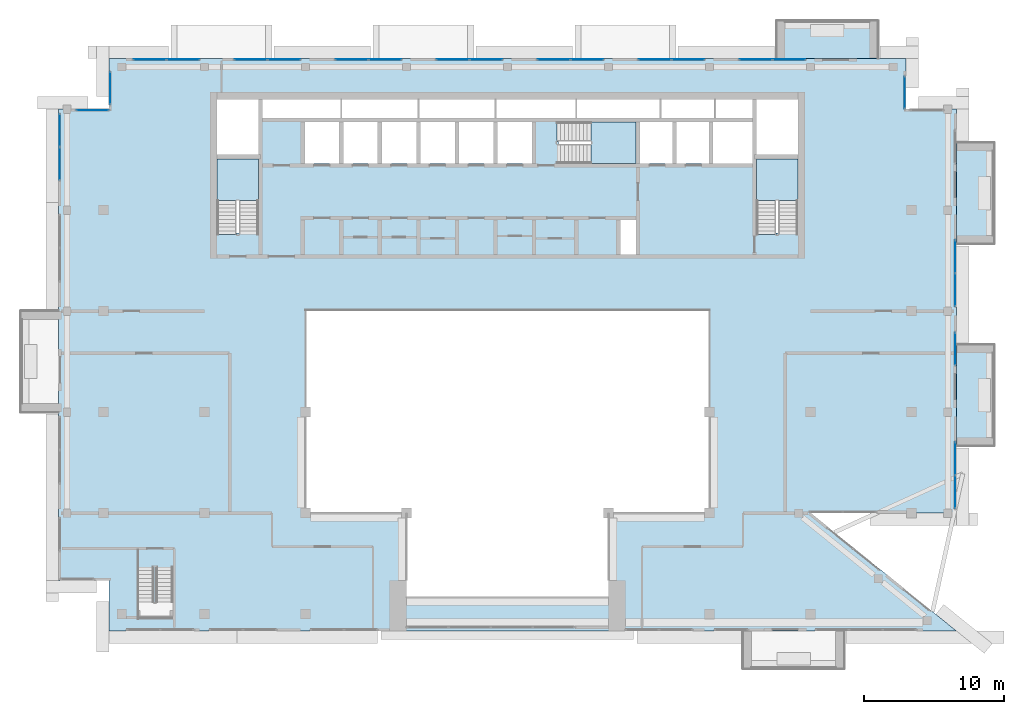
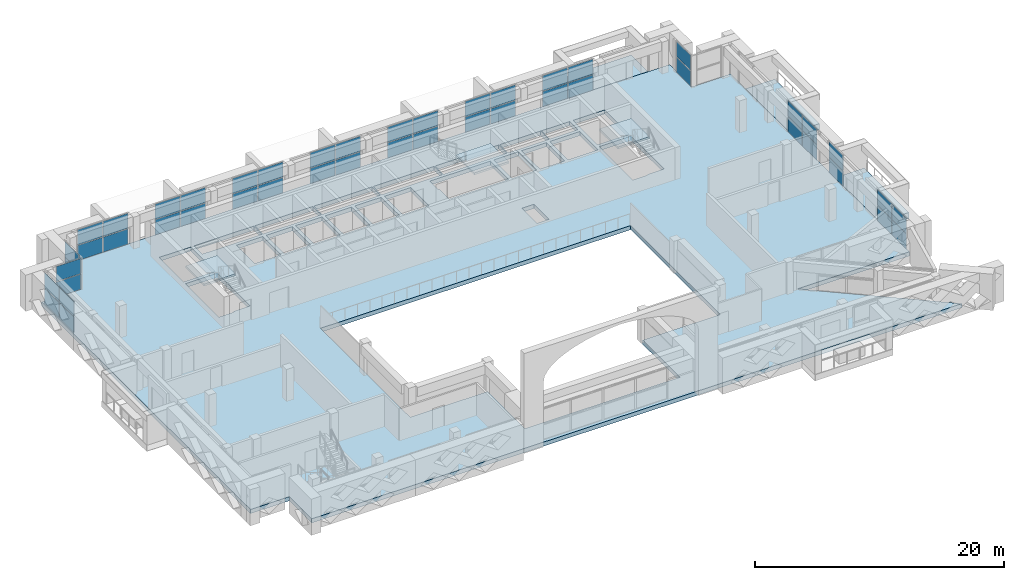
# One storey, part 11 of 22: 48 plates, 7 slabs, 17 elements without a shape of their own.
"""IFC4 building model written with IfcOpenShell, lengths in metres."""

from ifc_helpers import new_model, si_unit, direction, frame, origin, origin_2d, place, context, subcontext, project, spatial, polyline, rectangle, outline, extrude, source, transform, mapped, material, layer, layer_set, type_object, element, aggregate, save


model = new_model("IFC4")

# Units and contexts
model_context = context("Model", 3, precision=1e-05, world=origin(), true_north=direction((0.0, 1.0)))
body_context = subcontext(model_context, "Body", "Model", "MODEL_VIEW")
ifc_project = project(units=[si_unit("LENGTHUNIT", "METRE"), si_unit("AREAUNIT", "SQUARE_METRE"), si_unit("VOLUMEUNIT", "CUBIC_METRE"), si_unit("PLANEANGLEUNIT", "RADIAN"), si_unit("MASSUNIT", "GRAM", prefix="KILO")], contexts=[model_context])

# Site, building, storey
site_placement = place(None, origin())
site = spatial("IfcSite", under=ifc_project, at=site_placement, CompositionType="ELEMENT")
building_placement = place(site_placement, origin())
building = spatial("IfcBuilding", under=site, at=building_placement, Name="Saffron Iwan Residences", CompositionType="ELEMENT")
storey_placement = place(building_placement, frame((0.0, 0.0, 271.0)))
storey = spatial("IfcBuildingStorey", under=building, at=storey_placement, Name="L73", CompositionType="ELEMENT", Elevation=271.0)

# Slabs
ifc_material_1 = material(Name="Concrete C50/60 white painted", Category="concrete")
ifc_layer_1 = layer(ifc_material_1, 0.60009765625)
ifc_layer_set_1 = layer_set([ifc_layer_1], Name="Concrete C50/60 white painted")
slab_type_1 = type_object("IfcSlabType", Name="BALCONY FRAME SLAB 600", PredefinedType="FLOOR", material=ifc_layer_set_1)
slab_1_placement = place(storey_placement, frame((0.0, 0.0, -0.60009765625)))
element("IfcSlab", 1, at=slab_1_placement, inside=storey, type_object=slab_type_1, Name="Balcony frame slab L73 F2-0", PredefinedType="FLOOR", context=body_context, shape_type="SweptSolid", body=[
    extrude(outline(polyline([(85.10009765625, 52.800048828125), (85.10009765625, 60.0), (82.39990234375, 60.0), (82.39990234375, 52.800048828125), (85.10009765625, 52.800048828125)])), origin(), (0.0, 0.0, 1.0), 0.60009765625),
])
slab_2_placement = place(storey_placement, frame((0.0, 0.0, -0.60009765625)))
element("IfcSlab", 2, at=slab_2_placement, inside=storey, type_object=slab_type_1, Name="Balcony frame slab L73 F2-1", PredefinedType="FLOOR", context=body_context, shape_type="SweptSolid", body=[
    extrude(outline(polyline([(85.10009765625, 67.199951171875), (85.10009765625, 74.39990234375), (82.39990234375, 74.39990234375), (82.39990234375, 67.199951171875), (85.10009765625, 67.199951171875)])), origin(), (0.0, 0.0, 1.0), 0.60009765625),
])
slab_3_placement = place(storey_placement, frame((0.0, 0.0, -0.60009765625)))
element("IfcSlab", 3, at=slab_3_placement, inside=storey, type_object=slab_type_1, Name="Balcony frame slab L73 F5-0", PredefinedType="FLOOR", context=body_context, shape_type="SweptSolid", body=[
    extrude(outline(polyline([(76.800048828125, 83.10009765625), (69.60009765625, 83.10009765625), (69.60009765625, 80.39990234375), (76.800048828125, 80.39990234375), (76.800048828125, 83.10009765625)])), origin(), (0.0, 0.0, 1.0), 0.60009765625),
])
ifc_material_2 = material(Name="Concrete C40/50", Category="concrete")
ifc_layer_2 = layer(ifc_material_2, 0.40087890625)
ifc_layer_set_2 = layer_set([ifc_layer_2], Name="Concrete C40/50")
slab_type_2 = type_object("IfcSlabType", Name="PT PLATE 401 C40/50", PredefinedType="FLOOR", material=ifc_layer_set_2)
slab_4_placement = place(storey_placement, frame((0.0, 0.0, -0.401123046875)))
element("IfcSlab", 4, at=slab_4_placement, inside=storey, type_object=slab_type_2, Name="Floor slab L73", PredefinedType="FLOOR", context=body_context, shape_type="SweptSolid", body=[
    extrude(outline(polyline([(18.39990234375, 43.199951171875), (18.39990234375, 76.800048828125), (22.0, 76.800048828125), (22.0, 80.39990234375), (78.800048828125, 80.39990234375), (78.800048828125, 76.800048828125), (82.39990234375, 76.800048828125), (82.39990234375, 48.0), (72.0, 48.0), (82.39990234375, 39.60009765625), (22.0, 39.60009765625), (22.0, 43.199951171875), (18.39990234375, 43.199951171875)]), holes=[polyline([(64.800048828125, 48.0), (64.800048828125, 62.39990234375), (36.0, 62.39990234375), (36.0, 48.0), (43.199951171875, 48.0), (43.199951171875, 42.0), (57.60009765625, 42.0), (57.60009765625, 48.0), (64.800048828125, 48.0)]), polyline([(29.699951171875, 73.25), (29.699951171875, 67.949951171875), (29.699951171875, 67.8505859375), (31.10009765625, 67.8505859375), (31.10009765625, 67.949951171875), (32.64990234375, 67.949951171875), (32.64990234375, 73.25), (29.699951171875, 73.25)]), polyline([(38.39990234375, 75.875), (35.949951171875, 75.875), (35.949951171875, 72.925048828125), (38.39990234375, 72.925048828125), (38.39990234375, 75.875)]), polyline([(41.14990234375, 75.875), (38.699951171875, 75.875), (38.699951171875, 72.925048828125), (41.14990234375, 72.925048828125), (41.14990234375, 75.875)]), polyline([(43.89990234375, 72.925048828125), (43.89990234375, 75.875), (41.449951171875, 75.875), (41.449951171875, 72.925048828125), (43.89990234375, 72.925048828125)]), polyline([(46.64990234375, 72.925048828125), (46.64990234375, 75.875), (44.199951171875, 75.875), (44.199951171875, 72.925048828125), (46.64990234375, 72.925048828125)]), polyline([(49.39990234375, 75.875), (46.949951171875, 75.875), (46.949951171875, 72.925048828125), (49.39990234375, 72.925048828125), (49.39990234375, 75.875)]), polyline([(52.14990234375, 72.925048828125), (52.14990234375, 75.875), (49.699951171875, 75.875), (49.699951171875, 72.925048828125), (52.14990234375, 72.925048828125)]), polyline([(32.64990234375, 73.550048828125), (32.64990234375, 77.5), (29.699951171875, 77.5), (29.699951171875, 73.550048828125), (32.64990234375, 73.550048828125)]), polyline([(38.5, 77.5), (32.949951171875, 77.5), (32.949951171875, 76.175048828125), (38.5, 76.175048828125), (38.5, 77.5)]), polyline([(44.0, 76.175048828125), (44.0, 77.5), (38.60009765625, 77.5), (38.60009765625, 76.175048828125), (44.0, 76.175048828125)]), polyline([(49.5, 76.175048828125), (49.5, 77.5), (44.10009765625, 77.5), (44.10009765625, 76.175048828125), (49.5, 76.175048828125)]), polyline([(59.550048828125, 68.875), (58.449951171875, 68.875), (58.449951171875, 66.449951171875), (59.550048828125, 66.449951171875), (59.550048828125, 68.875)]), polyline([(68.14990234375, 73.25), (68.14990234375, 67.949951171875), (68.14990234375, 67.8505859375), (69.550048828125, 67.8505859375), (69.550048828125, 67.949951171875), (71.10009765625, 67.949951171875), (71.10009765625, 73.25), (68.14990234375, 73.25)]), polyline([(54.02490234375, 74.47509765625), (54.02490234375, 72.925048828125), (59.550048828125, 72.925048828125), (59.550048828125, 75.875), (54.02490234375, 75.875), (53.925537109375, 75.875), (53.925537109375, 74.47509765625), (54.02490234375, 74.47509765625)]), polyline([(62.14990234375, 72.925048828125), (62.14990234375, 75.875), (59.85009765625, 75.875), (59.85009765625, 72.925048828125), (62.14990234375, 72.925048828125)]), polyline([(64.75, 72.925048828125), (64.75, 75.875), (62.449951171875, 75.875), (62.449951171875, 72.925048828125), (64.75, 72.925048828125)]), polyline([(67.85009765625, 75.875), (65.050048828125, 75.875), (65.050048828125, 72.925048828125), (67.85009765625, 72.925048828125), (67.85009765625, 75.875)]), polyline([(71.10009765625, 73.550048828125), (71.10009765625, 77.5), (68.14990234375, 77.5), (68.14990234375, 73.550048828125), (71.10009765625, 73.550048828125)]), polyline([(55.25, 76.175048828125), (55.25, 77.5), (49.60009765625, 77.5), (49.60009765625, 76.175048828125), (55.25, 76.175048828125)]), polyline([(61.25, 77.5), (55.35009765625, 77.5), (55.35009765625, 76.175048828125), (61.25, 76.175048828125), (61.25, 77.5)]), polyline([(65.14990234375, 76.175048828125), (65.14990234375, 77.5), (61.35009765625, 77.5), (61.35009765625, 76.175048828125), (65.14990234375, 76.175048828125)]), polyline([(67.85009765625, 76.175048828125), (67.85009765625, 77.5), (65.25, 77.5), (65.25, 76.175048828125), (67.85009765625, 76.175048828125)])]), origin(), (0.0, 0.0, 1.0), 0.401123046875),
])

# Stair, slab
ifc_material_3 = material(Name="Concrete C50/60", Category="concrete")
stair_type = type_object("IfcStairType", Name="Stair ST-CORE", PredefinedType="HALF_TURN_STAIR", material=ifc_material_3)
stair_1_placement = place(storey_placement, origin())
stair_1 = element("IfcStair", 5, at=stair_1_placement, inside=storey, type_object=stair_type, Name="L73 Exit Stair ST-W", PredefinedType="HALF_TURN_STAIR")
ifc_layer_3 = layer(ifc_material_3, 0.199951171875)
ifc_layer_set_3 = layer_set([ifc_layer_3], Name="Concrete C50/60")
slab_type_3 = type_object("IfcSlabType", Name="Stair landing SL-RC", PredefinedType="LANDING", material=ifc_layer_set_3)
slab_5_placement = place(storey_placement, frame((0.0, 0.0, 1.5498046875)))
slab_5 = element("IfcSlab", 6, at=slab_5_placement, type_object=slab_type_3, Name="ST-W landing 1", PredefinedType="LANDING", context=body_context, shape_type="SweptSolid", body=[
    extrude(outline(polyline([(32.64990234375, 70.280029296875), (32.64990234375, 73.25), (29.699951171875, 73.25), (29.699951171875, 70.280029296875), (32.64990234375, 70.280029296875)])), origin(), (0.0, 0.0, 1.0), 0.2001953125),
])
aggregate(stair_1, [slab_5])

stair_2_placement = place(storey_placement, origin())
stair_2 = element("IfcStair", 7, at=stair_2_placement, inside=storey, type_object=stair_type, Name="L73 Exit Stair ST-C", PredefinedType="HALF_TURN_STAIR")
slab_6_placement = place(storey_placement, frame((0.0, 0.0, 1.5498046875)))
slab_6 = element("IfcSlab", 8, at=slab_6_placement, type_object=slab_type_3, Name="ST-C landing 1", PredefinedType="LANDING", context=body_context, shape_type="SweptSolid", body=[
    extrude(outline(polyline([(56.35498046875, 72.925048828125), (59.550048828125, 72.925048828125), (59.550048828125, 75.875), (56.35498046875, 75.875), (56.35498046875, 72.925048828125)])), origin(), (0.0, 0.0, 1.0), 0.2001953125),
])
aggregate(stair_2, [slab_6])

stair_3_placement = place(storey_placement, origin())
stair_3 = element("IfcStair", 9, at=stair_3_placement, inside=storey, type_object=stair_type, Name="L73 Exit Stair ST-E", PredefinedType="HALF_TURN_STAIR")
slab_7_placement = place(storey_placement, frame((0.0, 0.0, 1.5498046875)))
slab_7 = element("IfcSlab", 10, at=slab_7_placement, type_object=slab_type_3, Name="ST-E landing 1", PredefinedType="LANDING", context=body_context, shape_type="SweptSolid", body=[
    extrude(outline(polyline([(71.10009765625, 70.280029296875), (71.10009765625, 73.25), (68.14990234375, 73.25), (68.14990234375, 70.280029296875), (71.10009765625, 70.280029296875)])), origin(), (0.0, 0.0, 1.0), 0.2001953125),
])
aggregate(stair_3, [slab_7])

# Curtain wall, plates
ifc_material_4 = material(Name="Clear glass, laminated double glazed", Category="glass")
ifc_layer_4 = layer(ifc_material_4, 0.14990234375)
ifc_layer_set_4 = layer_set([ifc_layer_4], Name="Clear glass, laminated double glazed")
curtain_wall_type = type_object("IfcCurtainWallType", Name="CW-E SKY CLUB GLAZING", PredefinedType="NOTDEFINED", material=ifc_layer_set_4)
curtain_wall_1_placement = place(storey_placement, origin())
curtain_wall_1 = element("IfcCurtainWall", 11, at=curtain_wall_1_placement, inside=storey, type_object=curtain_wall_type, Name="Glazing L73 F2.1", PredefinedType="NOTDEFINED")
ifc_layer_5 = layer(ifc_material_4, 0.028076171875)
ifc_layer_set_5 = layer_set([ifc_layer_5], Name="Clear glass, laminated double glazed")
plate_type = type_object("IfcPlateType", Name="CW-E PANEL 28", PredefinedType="CURTAIN_PANEL", material=ifc_layer_set_5)
shared_shape_1 = source(origin(), body_context, "Body", "SweptSolid", [
    extrude(rectangle(XDim=2.280029296875, YDim=0.028076171875, at=origin_2d()), origin(), (0.0, 0.0, 1.0), 1.485107421875),
])
plate_1_placement = place(storey_placement, frame((82.320068359375, 59.699951171875, 0.06005859375), z_axis=(0.0, 0.0, 1.0), x_axis=(0.0, 1.0, 0.0)))
plate_1 = element("IfcPlate", 12, at=plate_1_placement, type_object=plate_type, Name="CW-E panel 1.1", PredefinedType="CURTAIN_PANEL", context=body_context, shape_type="MappedRepresentation", body=[
    mapped(shared_shape_1, transform((0.0, 0.0, 0.0))),
])
plate_2_placement = place(storey_placement, frame((82.320068359375, 59.699951171875, 1.60498046875), z_axis=(0.0, 0.0, 1.0), x_axis=(0.0, 1.0, 0.0)))
plate_2 = element("IfcPlate", 13, at=plate_2_placement, type_object=plate_type, Name="CW-E panel 1.2", PredefinedType="CURTAIN_PANEL", context=body_context, shape_type="MappedRepresentation", body=[
    mapped(shared_shape_1, transform((0.0, 0.0, 0.0))),
])
aggregate(curtain_wall_1, [plate_1, plate_2])

curtain_wall_2_placement = place(storey_placement, origin())
curtain_wall_2 = element("IfcCurtainWall", 14, at=curtain_wall_2_placement, inside=storey, type_object=curtain_wall_type, Name="Glazing L73 F4.0", PredefinedType="NOTDEFINED")
plate_3_placement = place(storey_placement, frame((78.719970703125, 77.969970703125, 0.06005859375), z_axis=(0.0, 0.0, 1.0), x_axis=(0.0, 1.0, 0.0)))
plate_3 = element("IfcPlate", 15, at=plate_3_placement, type_object=plate_type, Name="CW-E panel 1.1", PredefinedType="CURTAIN_PANEL", context=body_context, shape_type="MappedRepresentation", body=[
    mapped(shared_shape_1, transform((0.0, 0.0, 0.0))),
])
plate_4_placement = place(storey_placement, frame((78.719970703125, 77.969970703125, 1.60498046875), z_axis=(0.0, 0.0, 1.0), x_axis=(0.0, 1.0, 0.0)))
plate_4 = element("IfcPlate", 16, at=plate_4_placement, type_object=plate_type, Name="CW-E panel 1.2", PredefinedType="CURTAIN_PANEL", context=body_context, shape_type="MappedRepresentation", body=[
    mapped(shared_shape_1, transform((0.0, 0.0, 0.0))),
])
aggregate(curtain_wall_2, [plate_3, plate_4])

curtain_wall_3_placement = place(storey_placement, origin())
curtain_wall_3 = element("IfcCurtainWall", 17, at=curtain_wall_3_placement, inside=storey, type_object=curtain_wall_type, Name="Glazing L73 F6.0", PredefinedType="NOTDEFINED")
plate_5_placement = place(storey_placement, frame((22.080078125, 78.300048828125, 0.06005859375), z_axis=(0.0, 0.0, 1.0), x_axis=(0.0, -1.0, 0.0)))
plate_5 = element("IfcPlate", 18, at=plate_5_placement, type_object=plate_type, Name="CW-E panel 1.1", PredefinedType="CURTAIN_PANEL", context=body_context, shape_type="MappedRepresentation", body=[
    mapped(shared_shape_1, transform((0.0, 0.0, 0.0))),
])
plate_6_placement = place(storey_placement, frame((22.080078125, 78.300048828125, 1.60498046875), z_axis=(0.0, 0.0, 1.0), x_axis=(0.0, -1.0, 0.0)))
plate_6 = element("IfcPlate", 19, at=plate_6_placement, type_object=plate_type, Name="CW-E panel 1.2", PredefinedType="CURTAIN_PANEL", context=body_context, shape_type="MappedRepresentation", body=[
    mapped(shared_shape_1, transform((0.0, 0.0, 0.0))),
])
aggregate(curtain_wall_3, [plate_5, plate_6])

curtain_wall_4_placement = place(storey_placement, origin())
curtain_wall_4 = element("IfcCurtainWall", 20, at=curtain_wall_4_placement, inside=storey, type_object=curtain_wall_type, Name="Glazing L73 F7.0", PredefinedType="NOTDEFINED")
plate_7_placement = place(storey_placement, frame((20.830078125, 76.719970703125, 0.06005859375), z_axis=(0.0, 0.0, 1.0), x_axis=(-1.0, 0.0, 0.0)))
plate_7 = element("IfcPlate", 21, at=plate_7_placement, type_object=plate_type, Name="CW-E panel 1.1", PredefinedType="CURTAIN_PANEL", context=body_context, shape_type="MappedRepresentation", body=[
    mapped(shared_shape_1, transform((0.0, 0.0, 0.0))),
])
plate_8_placement = place(storey_placement, frame((20.830078125, 76.719970703125, 1.60498046875), z_axis=(0.0, 0.0, 1.0), x_axis=(-1.0, 0.0, 0.0)))
plate_8 = element("IfcPlate", 22, at=plate_8_placement, type_object=plate_type, Name="CW-E panel 1.2", PredefinedType="CURTAIN_PANEL", context=body_context, shape_type="MappedRepresentation", body=[
    mapped(shared_shape_1, transform((0.0, 0.0, 0.0))),
])
aggregate(curtain_wall_4, [plate_7, plate_8])

curtain_wall_5_placement = place(storey_placement, origin())
curtain_wall_5 = element("IfcCurtainWall", 23, at=curtain_wall_5_placement, inside=storey, type_object=curtain_wall_type, Name="Glazing L73 F2.0", PredefinedType="NOTDEFINED")
shared_shape_2 = source(origin(), body_context, "Body", "SweptSolid", [
    extrude(rectangle(XDim=2.31005859375, YDim=0.028076171875, at=origin_2d()), origin(), (0.0, 0.0, 1.0), 1.485107421875),
])
plate_9_placement = place(storey_placement, frame((82.320068359375, 49.514892578125, 0.06005859375), z_axis=(0.0, 0.0, 1.0), x_axis=(0.0, 1.0, 0.0)))
plate_9 = element("IfcPlate", 24, at=plate_9_placement, type_object=plate_type, Name="CW-E panel 1.1", PredefinedType="CURTAIN_PANEL", context=body_context, shape_type="MappedRepresentation", body=[
    mapped(shared_shape_2, transform((0.0, 0.0, 0.0))),
])
plate_10_placement = place(storey_placement, frame((82.320068359375, 49.514892578125, 1.60498046875), z_axis=(0.0, 0.0, 1.0), x_axis=(0.0, 1.0, 0.0)))
plate_10 = element("IfcPlate", 25, at=plate_10_placement, type_object=plate_type, Name="CW-E panel 1.2", PredefinedType="CURTAIN_PANEL", context=body_context, shape_type="MappedRepresentation", body=[
    mapped(shared_shape_2, transform((0.0, 0.0, 0.0))),
])
plate_11_placement = place(storey_placement, frame((82.320068359375, 51.885009765625, 0.06005859375), z_axis=(0.0, 0.0, 1.0), x_axis=(0.0, 1.0, 0.0)))
plate_11 = element("IfcPlate", 26, at=plate_11_placement, type_object=plate_type, Name="CW-E panel 2.1", PredefinedType="CURTAIN_PANEL", context=body_context, shape_type="MappedRepresentation", body=[
    mapped(shared_shape_2, transform((0.0, 0.0, 0.0))),
])
plate_12_placement = place(storey_placement, frame((82.320068359375, 51.885009765625, 1.60498046875), z_axis=(0.0, 0.0, 1.0), x_axis=(0.0, 1.0, 0.0)))
plate_12 = element("IfcPlate", 27, at=plate_12_placement, type_object=plate_type, Name="CW-E panel 2.2", PredefinedType="CURTAIN_PANEL", context=body_context, shape_type="MappedRepresentation", body=[
    mapped(shared_shape_2, transform((0.0, 0.0, 0.0))),
])
aggregate(curtain_wall_5, [plate_9, plate_10, plate_11, plate_12])

curtain_wall_6_placement = place(storey_placement, origin())
curtain_wall_6 = element("IfcCurtainWall", 28, at=curtain_wall_6_placement, inside=storey, type_object=curtain_wall_type, Name="Glazing L73 F2.2", PredefinedType="NOTDEFINED")
plate_13_placement = place(storey_placement, frame((82.320068359375, 63.9150390625, 0.06005859375), z_axis=(0.0, 0.0, 1.0), x_axis=(0.0, 1.0, 0.0)))
plate_13 = element("IfcPlate", 29, at=plate_13_placement, type_object=plate_type, Name="CW-E panel 1.1", PredefinedType="CURTAIN_PANEL", context=body_context, shape_type="MappedRepresentation", body=[
    mapped(shared_shape_2, transform((0.0, 0.0, 0.0))),
])
plate_14_placement = place(storey_placement, frame((82.320068359375, 63.9150390625, 1.60498046875), z_axis=(0.0, 0.0, 1.0), x_axis=(0.0, 1.0, 0.0)))
plate_14 = element("IfcPlate", 30, at=plate_14_placement, type_object=plate_type, Name="CW-E panel 1.2", PredefinedType="CURTAIN_PANEL", context=body_context, shape_type="MappedRepresentation", body=[
    mapped(shared_shape_2, transform((0.0, 0.0, 0.0))),
])
plate_15_placement = place(storey_placement, frame((82.320068359375, 66.284912109375, 0.06005859375), z_axis=(0.0, 0.0, 1.0), x_axis=(0.0, 1.0, 0.0)))
plate_15 = element("IfcPlate", 31, at=plate_15_placement, type_object=plate_type, Name="CW-E panel 2.1", PredefinedType="CURTAIN_PANEL", context=body_context, shape_type="MappedRepresentation", body=[
    mapped(shared_shape_2, transform((0.0, 0.0, 0.0))),
])
plate_16_placement = place(storey_placement, frame((82.320068359375, 66.284912109375, 1.60498046875), z_axis=(0.0, 0.0, 1.0), x_axis=(0.0, 1.0, 0.0)))
plate_16 = element("IfcPlate", 32, at=plate_16_placement, type_object=plate_type, Name="CW-E panel 2.2", PredefinedType="CURTAIN_PANEL", context=body_context, shape_type="MappedRepresentation", body=[
    mapped(shared_shape_2, transform((0.0, 0.0, 0.0))),
])
aggregate(curtain_wall_6, [plate_13, plate_14, plate_15, plate_16])

curtain_wall_7_placement = place(storey_placement, origin())
curtain_wall_7 = element("IfcCurtainWall", 33, at=curtain_wall_7_placement, inside=storey, type_object=curtain_wall_type, Name="Glazing L73 F5.1", PredefinedType="NOTDEFINED")
plate_17_placement = place(storey_placement, frame((70.485107421875, 80.320068359375, 0.06005859375), z_axis=(0.0, 0.0, 1.0), x_axis=(-1.0, 0.0, 0.0)))
plate_17 = element("IfcPlate", 34, at=plate_17_placement, type_object=plate_type, Name="CW-E panel 1.1", PredefinedType="CURTAIN_PANEL", context=body_context, shape_type="MappedRepresentation", body=[
    mapped(shared_shape_2, transform((0.0, 0.0, 0.0))),
])
plate_18_placement = place(storey_placement, frame((70.485107421875, 80.320068359375, 1.60498046875), z_axis=(0.0, 0.0, 1.0), x_axis=(-1.0, 0.0, 0.0)))
plate_18 = element("IfcPlate", 35, at=plate_18_placement, type_object=plate_type, Name="CW-E panel 1.2", PredefinedType="CURTAIN_PANEL", context=body_context, shape_type="MappedRepresentation", body=[
    mapped(shared_shape_2, transform((0.0, 0.0, 0.0))),
])
plate_19_placement = place(storey_placement, frame((68.114990234375, 80.320068359375, 0.06005859375), z_axis=(0.0, 0.0, 1.0), x_axis=(-1.0, 0.0, 0.0)))
plate_19 = element("IfcPlate", 36, at=plate_19_placement, type_object=plate_type, Name="CW-E panel 2.1", PredefinedType="CURTAIN_PANEL", context=body_context, shape_type="MappedRepresentation", body=[
    mapped(shared_shape_2, transform((0.0, 0.0, 0.0))),
])
plate_20_placement = place(storey_placement, frame((68.114990234375, 80.320068359375, 1.60498046875), z_axis=(0.0, 0.0, 1.0), x_axis=(-1.0, 0.0, 0.0)))
plate_20 = element("IfcPlate", 37, at=plate_20_placement, type_object=plate_type, Name="CW-E panel 2.2", PredefinedType="CURTAIN_PANEL", context=body_context, shape_type="MappedRepresentation", body=[
    mapped(shared_shape_2, transform((0.0, 0.0, 0.0))),
])
aggregate(curtain_wall_7, [plate_17, plate_18, plate_19, plate_20])

curtain_wall_8_placement = place(storey_placement, origin())
curtain_wall_8 = element("IfcCurtainWall", 38, at=curtain_wall_8_placement, inside=storey, type_object=curtain_wall_type, Name="Glazing L73 F5.2", PredefinedType="NOTDEFINED")
plate_21_placement = place(storey_placement, frame((63.284912109375, 80.320068359375, 0.06005859375), z_axis=(0.0, 0.0, 1.0), x_axis=(-1.0, 0.0, 0.0)))
plate_21 = element("IfcPlate", 39, at=plate_21_placement, type_object=plate_type, Name="CW-E panel 1.1", PredefinedType="CURTAIN_PANEL", context=body_context, shape_type="MappedRepresentation", body=[
    mapped(shared_shape_2, transform((0.0, 0.0, 0.0))),
])
plate_22_placement = place(storey_placement, frame((63.284912109375, 80.320068359375, 1.60498046875), z_axis=(0.0, 0.0, 1.0), x_axis=(-1.0, 0.0, 0.0)))
plate_22 = element("IfcPlate", 40, at=plate_22_placement, type_object=plate_type, Name="CW-E panel 1.2", PredefinedType="CURTAIN_PANEL", context=body_context, shape_type="MappedRepresentation", body=[
    mapped(shared_shape_2, transform((0.0, 0.0, 0.0))),
])
plate_23_placement = place(storey_placement, frame((60.9150390625, 80.320068359375, 0.06005859375), z_axis=(0.0, 0.0, 1.0), x_axis=(-1.0, 0.0, 0.0)))
plate_23 = element("IfcPlate", 41, at=plate_23_placement, type_object=plate_type, Name="CW-E panel 2.1", PredefinedType="CURTAIN_PANEL", context=body_context, shape_type="MappedRepresentation", body=[
    mapped(shared_shape_2, transform((0.0, 0.0, 0.0))),
])
plate_24_placement = place(storey_placement, frame((60.9150390625, 80.320068359375, 1.60498046875), z_axis=(0.0, 0.0, 1.0), x_axis=(-1.0, 0.0, 0.0)))
plate_24 = element("IfcPlate", 42, at=plate_24_placement, type_object=plate_type, Name="CW-E panel 2.2", PredefinedType="CURTAIN_PANEL", context=body_context, shape_type="MappedRepresentation", body=[
    mapped(shared_shape_2, transform((0.0, 0.0, 0.0))),
])
aggregate(curtain_wall_8, [plate_21, plate_22, plate_23, plate_24])

curtain_wall_9_placement = place(storey_placement, origin())
curtain_wall_9 = element("IfcCurtainWall", 43, at=curtain_wall_9_placement, inside=storey, type_object=curtain_wall_type, Name="Glazing L73 F5.3", PredefinedType="NOTDEFINED")
plate_25_placement = place(storey_placement, frame((56.0849609375, 80.320068359375, 0.06005859375), z_axis=(0.0, 0.0, 1.0), x_axis=(-1.0, 0.0, 0.0)))
plate_25 = element("IfcPlate", 44, at=plate_25_placement, type_object=plate_type, Name="CW-E panel 1.1", PredefinedType="CURTAIN_PANEL", context=body_context, shape_type="MappedRepresentation", body=[
    mapped(shared_shape_2, transform((0.0, 0.0, 0.0))),
])
plate_26_placement = place(storey_placement, frame((56.0849609375, 80.320068359375, 1.60498046875), z_axis=(0.0, 0.0, 1.0), x_axis=(-1.0, 0.0, 0.0)))
plate_26 = element("IfcPlate", 45, at=plate_26_placement, type_object=plate_type, Name="CW-E panel 1.2", PredefinedType="CURTAIN_PANEL", context=body_context, shape_type="MappedRepresentation", body=[
    mapped(shared_shape_2, transform((0.0, 0.0, 0.0))),
])
plate_27_placement = place(storey_placement, frame((53.715087890625, 80.320068359375, 0.06005859375), z_axis=(0.0, 0.0, 1.0), x_axis=(-1.0, 0.0, 0.0)))
plate_27 = element("IfcPlate", 46, at=plate_27_placement, type_object=plate_type, Name="CW-E panel 2.1", PredefinedType="CURTAIN_PANEL", context=body_context, shape_type="MappedRepresentation", body=[
    mapped(shared_shape_2, transform((0.0, 0.0, 0.0))),
])
plate_28_placement = place(storey_placement, frame((53.715087890625, 80.320068359375, 1.60498046875), z_axis=(0.0, 0.0, 1.0), x_axis=(-1.0, 0.0, 0.0)))
plate_28 = element("IfcPlate", 47, at=plate_28_placement, type_object=plate_type, Name="CW-E panel 2.2", PredefinedType="CURTAIN_PANEL", context=body_context, shape_type="MappedRepresentation", body=[
    mapped(shared_shape_2, transform((0.0, 0.0, 0.0))),
])
aggregate(curtain_wall_9, [plate_25, plate_26, plate_27, plate_28])

curtain_wall_10_placement = place(storey_placement, origin())
curtain_wall_10 = element("IfcCurtainWall", 48, at=curtain_wall_10_placement, inside=storey, type_object=curtain_wall_type, Name="Glazing L73 F5.4", PredefinedType="NOTDEFINED")
plate_29_placement = place(storey_placement, frame((48.885009765625, 80.320068359375, 0.06005859375), z_axis=(0.0, 0.0, 1.0), x_axis=(-1.0, 0.0, 0.0)))
plate_29 = element("IfcPlate", 49, at=plate_29_placement, type_object=plate_type, Name="CW-E panel 1.1", PredefinedType="CURTAIN_PANEL", context=body_context, shape_type="MappedRepresentation", body=[
    mapped(shared_shape_2, transform((0.0, 0.0, 0.0))),
])
plate_30_placement = place(storey_placement, frame((48.885009765625, 80.320068359375, 1.60498046875), z_axis=(0.0, 0.0, 1.0), x_axis=(-1.0, 0.0, 0.0)))
plate_30 = element("IfcPlate", 50, at=plate_30_placement, type_object=plate_type, Name="CW-E panel 1.2", PredefinedType="CURTAIN_PANEL", context=body_context, shape_type="MappedRepresentation", body=[
    mapped(shared_shape_2, transform((0.0, 0.0, 0.0))),
])
plate_31_placement = place(storey_placement, frame((46.514892578125, 80.320068359375, 0.06005859375), z_axis=(0.0, 0.0, 1.0), x_axis=(-1.0, 0.0, 0.0)))
plate_31 = element("IfcPlate", 51, at=plate_31_placement, type_object=plate_type, Name="CW-E panel 2.1", PredefinedType="CURTAIN_PANEL", context=body_context, shape_type="MappedRepresentation", body=[
    mapped(shared_shape_2, transform((0.0, 0.0, 0.0))),
])
plate_32_placement = place(storey_placement, frame((46.514892578125, 80.320068359375, 1.60498046875), z_axis=(0.0, 0.0, 1.0), x_axis=(-1.0, 0.0, 0.0)))
plate_32 = element("IfcPlate", 52, at=plate_32_placement, type_object=plate_type, Name="CW-E panel 2.2", PredefinedType="CURTAIN_PANEL", context=body_context, shape_type="MappedRepresentation", body=[
    mapped(shared_shape_2, transform((0.0, 0.0, 0.0))),
])
aggregate(curtain_wall_10, [plate_29, plate_30, plate_31, plate_32])

curtain_wall_11_placement = place(storey_placement, origin())
curtain_wall_11 = element("IfcCurtainWall", 53, at=curtain_wall_11_placement, inside=storey, type_object=curtain_wall_type, Name="Glazing L73 F5.5", PredefinedType="NOTDEFINED")
plate_33_placement = place(storey_placement, frame((41.68505859375, 80.320068359375, 0.06005859375), z_axis=(0.0, 0.0, 1.0), x_axis=(-1.0, 0.0, 0.0)))
plate_33 = element("IfcPlate", 54, at=plate_33_placement, type_object=plate_type, Name="CW-E panel 1.1", PredefinedType="CURTAIN_PANEL", context=body_context, shape_type="MappedRepresentation", body=[
    mapped(shared_shape_2, transform((0.0, 0.0, 0.0))),
])
plate_34_placement = place(storey_placement, frame((41.68505859375, 80.320068359375, 1.60498046875), z_axis=(0.0, 0.0, 1.0), x_axis=(-1.0, 0.0, 0.0)))
plate_34 = element("IfcPlate", 55, at=plate_34_placement, type_object=plate_type, Name="CW-E panel 1.2", PredefinedType="CURTAIN_PANEL", context=body_context, shape_type="MappedRepresentation", body=[
    mapped(shared_shape_2, transform((0.0, 0.0, 0.0))),
])
plate_35_placement = place(storey_placement, frame((39.31494140625, 80.320068359375, 0.06005859375), z_axis=(0.0, 0.0, 1.0), x_axis=(-1.0, 0.0, 0.0)))
plate_35 = element("IfcPlate", 56, at=plate_35_placement, type_object=plate_type, Name="CW-E panel 2.1", PredefinedType="CURTAIN_PANEL", context=body_context, shape_type="MappedRepresentation", body=[
    mapped(shared_shape_2, transform((0.0, 0.0, 0.0))),
])
plate_36_placement = place(storey_placement, frame((39.31494140625, 80.320068359375, 1.60498046875), z_axis=(0.0, 0.0, 1.0), x_axis=(-1.0, 0.0, 0.0)))
plate_36 = element("IfcPlate", 57, at=plate_36_placement, type_object=plate_type, Name="CW-E panel 2.2", PredefinedType="CURTAIN_PANEL", context=body_context, shape_type="MappedRepresentation", body=[
    mapped(shared_shape_2, transform((0.0, 0.0, 0.0))),
])
aggregate(curtain_wall_11, [plate_33, plate_34, plate_35, plate_36])

curtain_wall_12_placement = place(storey_placement, origin())
curtain_wall_12 = element("IfcCurtainWall", 58, at=curtain_wall_12_placement, inside=storey, type_object=curtain_wall_type, Name="Glazing L73 F5.6", PredefinedType="NOTDEFINED")
plate_37_placement = place(storey_placement, frame((34.485107421875, 80.320068359375, 0.06005859375), z_axis=(0.0, 0.0, 1.0), x_axis=(-1.0, 0.0, 0.0)))
plate_37 = element("IfcPlate", 59, at=plate_37_placement, type_object=plate_type, Name="CW-E panel 1.1", PredefinedType="CURTAIN_PANEL", context=body_context, shape_type="MappedRepresentation", body=[
    mapped(shared_shape_2, transform((0.0, 0.0, 0.0))),
])
plate_38_placement = place(storey_placement, frame((34.485107421875, 80.320068359375, 1.60498046875), z_axis=(0.0, 0.0, 1.0), x_axis=(-1.0, 0.0, 0.0)))
plate_38 = element("IfcPlate", 60, at=plate_38_placement, type_object=plate_type, Name="CW-E panel 1.2", PredefinedType="CURTAIN_PANEL", context=body_context, shape_type="MappedRepresentation", body=[
    mapped(shared_shape_2, transform((0.0, 0.0, 0.0))),
])
plate_39_placement = place(storey_placement, frame((32.114990234375, 80.320068359375, 0.06005859375), z_axis=(0.0, 0.0, 1.0), x_axis=(-1.0, 0.0, 0.0)))
plate_39 = element("IfcPlate", 61, at=plate_39_placement, type_object=plate_type, Name="CW-E panel 2.1", PredefinedType="CURTAIN_PANEL", context=body_context, shape_type="MappedRepresentation", body=[
    mapped(shared_shape_2, transform((0.0, 0.0, 0.0))),
])
plate_40_placement = place(storey_placement, frame((32.114990234375, 80.320068359375, 1.60498046875), z_axis=(0.0, 0.0, 1.0), x_axis=(-1.0, 0.0, 0.0)))
plate_40 = element("IfcPlate", 62, at=plate_40_placement, type_object=plate_type, Name="CW-E panel 2.2", PredefinedType="CURTAIN_PANEL", context=body_context, shape_type="MappedRepresentation", body=[
    mapped(shared_shape_2, transform((0.0, 0.0, 0.0))),
])
aggregate(curtain_wall_12, [plate_37, plate_38, plate_39, plate_40])

curtain_wall_13_placement = place(storey_placement, origin())
curtain_wall_13 = element("IfcCurtainWall", 63, at=curtain_wall_13_placement, inside=storey, type_object=curtain_wall_type, Name="Glazing L73 F5.7", PredefinedType="NOTDEFINED")
plate_41_placement = place(storey_placement, frame((27.284912109375, 80.320068359375, 0.06005859375), z_axis=(0.0, 0.0, 1.0), x_axis=(-1.0, 0.0, 0.0)))
plate_41 = element("IfcPlate", 64, at=plate_41_placement, type_object=plate_type, Name="CW-E panel 1.1", PredefinedType="CURTAIN_PANEL", context=body_context, shape_type="MappedRepresentation", body=[
    mapped(shared_shape_2, transform((0.0, 0.0, 0.0))),
])
plate_42_placement = place(storey_placement, frame((27.284912109375, 80.320068359375, 1.60498046875), z_axis=(0.0, 0.0, 1.0), x_axis=(-1.0, 0.0, 0.0)))
plate_42 = element("IfcPlate", 65, at=plate_42_placement, type_object=plate_type, Name="CW-E panel 1.2", PredefinedType="CURTAIN_PANEL", context=body_context, shape_type="MappedRepresentation", body=[
    mapped(shared_shape_2, transform((0.0, 0.0, 0.0))),
])
plate_43_placement = place(storey_placement, frame((24.9150390625, 80.320068359375, 0.06005859375), z_axis=(0.0, 0.0, 1.0), x_axis=(-1.0, 0.0, 0.0)))
plate_43 = element("IfcPlate", 66, at=plate_43_placement, type_object=plate_type, Name="CW-E panel 2.1", PredefinedType="CURTAIN_PANEL", context=body_context, shape_type="MappedRepresentation", body=[
    mapped(shared_shape_2, transform((0.0, 0.0, 0.0))),
])
plate_44_placement = place(storey_placement, frame((24.9150390625, 80.320068359375, 1.60498046875), z_axis=(0.0, 0.0, 1.0), x_axis=(-1.0, 0.0, 0.0)))
plate_44 = element("IfcPlate", 67, at=plate_44_placement, type_object=plate_type, Name="CW-E panel 2.2", PredefinedType="CURTAIN_PANEL", context=body_context, shape_type="MappedRepresentation", body=[
    mapped(shared_shape_2, transform((0.0, 0.0, 0.0))),
])
aggregate(curtain_wall_13, [plate_41, plate_42, plate_43, plate_44])

curtain_wall_14_placement = place(storey_placement, origin())
curtain_wall_14 = element("IfcCurtainWall", 68, at=curtain_wall_14_placement, inside=storey, type_object=curtain_wall_type, Name="Glazing L73 F8.0", PredefinedType="NOTDEFINED")
plate_45_placement = place(storey_placement, frame((18.47998046875, 75.284912109375, 0.06005859375), z_axis=(0.0, 0.0, 1.0), x_axis=(0.0, -1.0, 0.0)))
plate_45 = element("IfcPlate", 69, at=plate_45_placement, type_object=plate_type, Name="CW-E panel 1.1", PredefinedType="CURTAIN_PANEL", context=body_context, shape_type="MappedRepresentation", body=[
    mapped(shared_shape_2, transform((0.0, 0.0, 0.0))),
])
plate_46_placement = place(storey_placement, frame((18.47998046875, 75.284912109375, 1.60498046875), z_axis=(0.0, 0.0, 1.0), x_axis=(0.0, -1.0, 0.0)))
plate_46 = element("IfcPlate", 70, at=plate_46_placement, type_object=plate_type, Name="CW-E panel 1.2", PredefinedType="CURTAIN_PANEL", context=body_context, shape_type="MappedRepresentation", body=[
    mapped(shared_shape_2, transform((0.0, 0.0, 0.0))),
])
plate_47_placement = place(storey_placement, frame((18.47998046875, 72.9150390625, 0.06005859375), z_axis=(0.0, 0.0, 1.0), x_axis=(0.0, -1.0, 0.0)))
plate_47 = element("IfcPlate", 71, at=plate_47_placement, type_object=plate_type, Name="CW-E panel 2.1", PredefinedType="CURTAIN_PANEL", context=body_context, shape_type="MappedRepresentation", body=[
    mapped(shared_shape_2, transform((0.0, 0.0, 0.0))),
])
plate_48_placement = place(storey_placement, frame((18.47998046875, 72.9150390625, 1.60498046875), z_axis=(0.0, 0.0, 1.0), x_axis=(0.0, -1.0, 0.0)))
plate_48 = element("IfcPlate", 72, at=plate_48_placement, type_object=plate_type, Name="CW-E panel 2.2", PredefinedType="CURTAIN_PANEL", context=body_context, shape_type="MappedRepresentation", body=[
    mapped(shared_shape_2, transform((0.0, 0.0, 0.0))),
])
aggregate(curtain_wall_14, [plate_45, plate_46, plate_47, plate_48])

save(model, "model.ifc")
